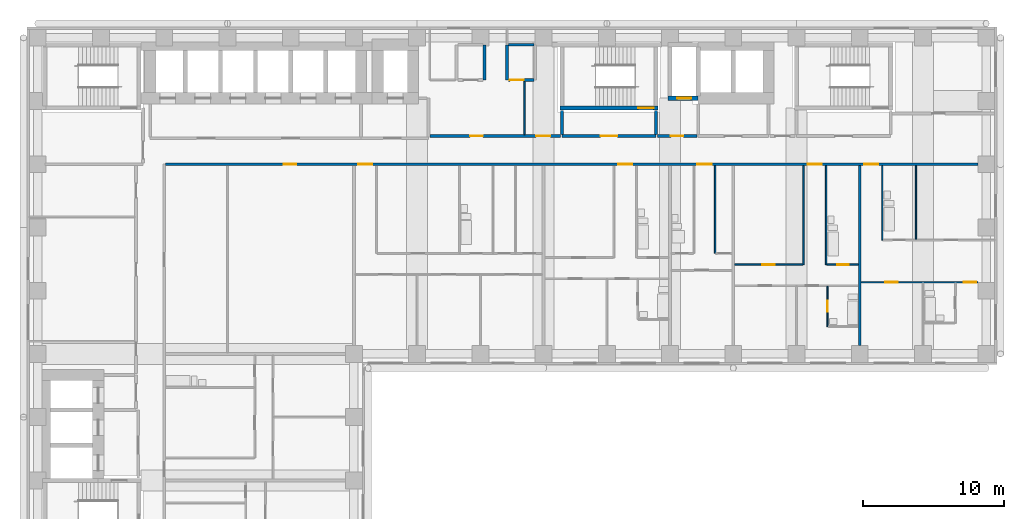
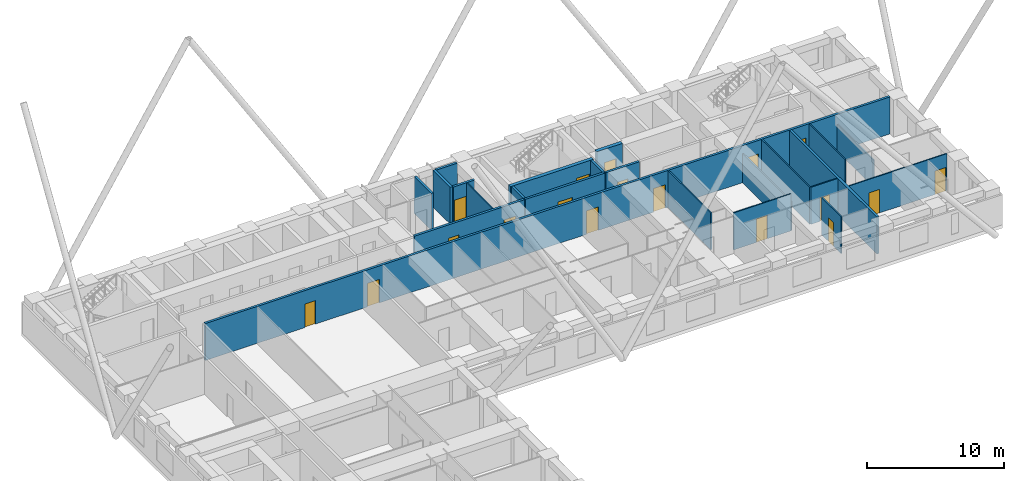
# One storey, part 8 of 13: 23 walls, 18 doors, 18 openings.
"""IFC4 building model written with IfcOpenShell, lengths in metres."""

from ifc_helpers import new_model, si_unit, direction, frame, frame_2d, origin, place, context, subcontext, project, spatial, rectangle, extrude, material, layer, layer_set, type_object, element, fill, save


model = new_model("IFC4")

# Units and contexts
model_context = context("Model", 3, precision=1e-05, world=origin(), true_north=direction((0.0, 1.0)))
body_context = subcontext(model_context, "Body", "Model", "MODEL_VIEW")
ifc_project = project(units=[si_unit("LENGTHUNIT", "METRE"), si_unit("AREAUNIT", "SQUARE_METRE"), si_unit("VOLUMEUNIT", "CUBIC_METRE"), si_unit("PLANEANGLEUNIT", "RADIAN"), si_unit("MASSUNIT", "GRAM", prefix="KILO")], contexts=[model_context])

# Site, building, storey
site_placement = place(None, origin())
site = spatial("IfcSite", under=ifc_project, at=site_placement, CompositionType="ELEMENT")
building_placement = place(site_placement, origin())
building = spatial("IfcBuilding", under=site, at=building_placement, Name="Firuza Court", CompositionType="ELEMENT")
storey_placement = place(building_placement, frame((0.0, 0.0, 72.199951171875)))
storey = spatial("IfcBuildingStorey", under=building, at=storey_placement, Name="L17", CompositionType="ELEMENT", Elevation=72.199951171875)

# Wall, opening, door
ifc_material_1 = material(Name="Moisture-resistant gypsum board partition")
ifc_layer_1 = layer(ifc_material_1, 0.10009765625)
ifc_layer_set_1 = layer_set([ifc_layer_1], Name="Moisture-resistant gypsum board partition")
wall_type_1 = type_object("IfcWallType", Name="Bathroom partition 100", PredefinedType="PLUMBINGWALL", material=ifc_layer_set_1)
wall_1_placement = place(storey_placement, frame((56.199951171875, 37.949951171875, 0.0), z_axis=(0.0, 0.0, 1.0), x_axis=(0.0, 1.0, 0.0)))
wall_1 = element("IfcWall", 1, at=wall_1_placement, inside=storey, type_object=wall_type_1, Name="Bathroom partition 100 L17", PredefinedType="PLUMBINGWALL", context=body_context, shape_type="SweptSolid", body=[
    extrude(rectangle(XDim=2.85009765625, YDim=0.10009765625, at=frame_2d((1.425048828125, 0.0))), origin(), (0.0, 0.0, 1.0), 3.300048828125),
])
opening_1_placement = place(wall_1_placement, frame((1.050048828125, 0.0, 0.0)))
opening_1 = element("IfcOpeningElement", 2, at=opening_1_placement, cuts=wall_1, Name="Opening D17044", PredefinedType="OPENING", context=body_context, shape_type="SweptSolid", body=[
    extrude(rectangle(XDim=0.800048828125, YDim=2.10009765625, at=frame_2d((0.39990234375, 1.050048828125))), frame((0.0, 0.06201171875, 0.0), z_axis=(0.0, -1.0, 0.0), x_axis=(1.0, 0.0, 0.0)), (0.0, 0.0, 1.0), 0.1240234375),
])
ifc_material_2 = material(Name="Timber door leaf in hardwood frame", Category="wood")
door_type_1 = type_object("IfcDoorType", Name="Bathroom door 800", OperationType="SINGLE_SWING_LEFT", PredefinedType="DOOR", material=ifc_material_2)
door_1_placement = place(opening_1_placement, frame((0.800048828125, 0.0, 0.0), z_axis=(0.0, 0.0, 1.0), x_axis=(-1.0, 0.0, 0.0)))
door_1 = element("IfcDoor", 3, at=door_1_placement, inside=storey, type_object=door_type_1, Name="En-suite door", OperationType="SINGLE_SWING_RIGHT", OverallHeight=2.10009765625, OverallWidth=0.800048828125, PredefinedType="DOOR", context=body_context, shape_type="SweptSolid", body=[
    extrude(rectangle(XDim=0.800048828125, YDim=2.10009765625, at=frame_2d((0.39990234375, 1.050048828125))), frame((0.0, 0.02490234375, 0.0), z_axis=(0.0, -1.0, 0.0), x_axis=(1.0, 0.0, 0.0)), (0.0, 0.0, 1.0), 0.050048828125),
])
fill(opening_1, door_1)

# Walls
wall_2_placement = place(storey_placement, frame((56.10009765625, 42.35009765625, 0.0), z_axis=(0.0, 0.0, 1.0), x_axis=(0.0, 1.0, 0.0)))
element("IfcWall", 4, at=wall_2_placement, inside=storey, type_object=wall_type_1, Name="Bathroom partition 100 L17", PredefinedType="PLUMBINGWALL", context=body_context, shape_type="SweptSolid", body=[
    extrude(rectangle(XDim=7.0498046875, YDim=0.10009765625, at=frame_2d((3.52490234375, 0.0))), origin(), (0.0, 0.0, 1.0), 3.300048828125),
])
wall_3_placement = place(storey_placement, frame((60.10009765625, 44.10009765625, 0.0), z_axis=(0.0, 0.0, 1.0), x_axis=(0.0, 1.0, 0.0)))
element("IfcWall", 5, at=wall_3_placement, inside=storey, type_object=wall_type_1, Name="Bathroom partition 100 L17", PredefinedType="PLUMBINGWALL", context=body_context, shape_type="SweptSolid", body=[
    extrude(rectangle(XDim=5.2998046875, YDim=0.10009765625, at=frame_2d((2.64990234375, 0.0))), origin(), (0.0, 0.0, 1.0), 3.300048828125),
])
wall_4_placement = place(storey_placement, frame((62.5, 44.14990234375, 0.0), z_axis=(0.0, 0.0, 1.0), x_axis=(0.0, 1.0, 0.0)))
element("IfcWall", 6, at=wall_4_placement, inside=storey, type_object=wall_type_1, Name="Bathroom partition 100 L17", PredefinedType="PLUMBINGWALL", context=body_context, shape_type="SweptSolid", body=[
    extrude(rectangle(XDim=5.25, YDim=0.10009765625, at=frame_2d((2.625, 0.0))), origin(), (0.0, 0.0, 1.0), 2.400146484375),
])

# Wall, opening, door
ifc_material_3 = material(Name="Concrete C60/75", Category="concrete")
ifc_layer_2 = layer(ifc_material_3, 0.300048828125)
ifc_layer_set_2 = layer_set([ifc_layer_2], Name="Concrete C60/75")
wall_type_2 = type_object("IfcWallType", Name="Core wall 300 C60/75", PredefinedType="SHEAR", material=ifc_layer_set_2)
wall_5_placement = place(storey_placement, frame((37.14990234375, 53.5, -0.300048828125), z_axis=(0.0, 0.0, 1.0), x_axis=(1.0, 0.0, 0.0)))
wall_5 = element("IfcWall", 7, at=wall_5_placement, inside=storey, type_object=wall_type_2, Name="Core wall stair L17", PredefinedType="SHEAR", context=body_context, shape_type="SweptSolid", body=[
    extrude(rectangle(XDim=7.0, YDim=0.300048828125, at=frame_2d((3.5, 0.0))), origin(), (0.0, 0.0, 1.0), 3.60009765625),
])
opening_2_placement = place(wall_5_placement, frame((5.580078125, 0.0, 0.300048828125)))
opening_2 = element("IfcOpeningElement", 8, at=opening_2_placement, cuts=wall_5, Name="Opening D17013", PredefinedType="OPENING", context=body_context, shape_type="SweptSolid", body=[
    extrude(rectangle(XDim=1.10009765625, YDim=2.10009765625, at=frame_2d((0.550048828125, 1.050048828125))), frame((0.0, 0.162109375, 0.0), z_axis=(0.0, -1.0, 0.0), x_axis=(1.0, 0.0, 0.0)), (0.0, 0.0, 1.0), 0.323974609375),
])
ifc_material_4 = material(Name="Timber door leaf in hardwood frame", Category="wood")
door_type_2 = type_object("IfcDoorType", Name="Stair door 1100", OperationType="SINGLE_SWING_LEFT", PredefinedType="DOOR", material=ifc_material_4)
door_2_placement = place(opening_2_placement, origin())
door_2 = element("IfcDoor", 9, at=door_2_placement, inside=storey, type_object=door_type_2, Name="Stair door S1", OperationType="SINGLE_SWING_RIGHT", OverallHeight=2.10009765625, OverallWidth=1.10009765625, PredefinedType="DOOR", context=body_context, shape_type="SweptSolid", body=[
    extrude(rectangle(XDim=1.10009765625, YDim=2.10009765625, at=frame_2d((0.550048828125, 1.050048828125))), frame((0.0, 0.02490234375, 0.0), z_axis=(0.0, -1.0, 0.0), x_axis=(1.0, 0.0, 0.0)), (0.0, 0.0, 1.0), 0.050048828125),
])
fill(opening_2, door_2)

wall_6_placement = place(storey_placement, frame((44.85009765625, 54.199951171875, -0.300048828125), z_axis=(0.0, 0.0, 1.0), x_axis=(1.0, 0.0, 0.0)))
wall_6 = element("IfcWall", 10, at=wall_6_placement, inside=storey, type_object=wall_type_2, Name="Core wall riser L17", PredefinedType="SHEAR", context=body_context, shape_type="SweptSolid", body=[
    extrude(rectangle(XDim=2.14990234375, YDim=0.300048828125, at=frame_2d((1.074951171875, 0.0))), origin(), (0.0, 0.0, 1.0), 3.60009765625),
])
opening_3_placement = place(wall_6_placement, frame((0.64990234375, 0.0, 0.300048828125)))
opening_3 = element("IfcOpeningElement", 11, at=opening_3_placement, cuts=wall_6, Name="Opening D17011", PredefinedType="OPENING", context=body_context, shape_type="SweptSolid", body=[
    extrude(rectangle(XDim=1.0, YDim=2.10009765625, at=frame_2d((0.5, 1.050048828125))), frame((0.0, 0.162109375, 0.0), z_axis=(0.0, -1.0, 0.0), x_axis=(1.0, 0.0, 0.0)), (0.0, 0.0, 1.0), 0.323974609375),
])
ifc_material_5 = material(Name="Timber door leaf in hardwood frame", Category="wood")
door_type_3 = type_object("IfcDoorType", Name="Riser door 1000", OperationType="SINGLE_SWING_LEFT", PredefinedType="DOOR", material=ifc_material_5)
door_3_placement = place(opening_3_placement, origin())
door_3 = element("IfcDoor", 12, at=door_3_placement, inside=storey, type_object=door_type_3, Name="Riser door R3", OperationType="SINGLE_SWING_LEFT", OverallHeight=2.10009765625, OverallWidth=1.0, PredefinedType="DOOR", context=body_context, shape_type="SweptSolid", body=[
    extrude(rectangle(XDim=1.0, YDim=2.10009765625, at=frame_2d((0.5, 1.050048828125))), frame((0.0, 0.02490234375, 0.0), z_axis=(0.0, -1.0, 0.0), x_axis=(1.0, 0.0, 0.0)), (0.0, 0.0, 1.0), 0.050048828125),
])
fill(opening_3, door_3)

# Wall, openings, doors
ifc_material_6 = material(Name="Blockwork, plastered both sides", Category="masonry")
ifc_layer_3 = layer(ifc_material_6, 0.199951171875)
ifc_layer_set_3 = layer_set([ifc_layer_3], Name="Blockwork, plastered both sides")
wall_type_3 = type_object("IfcWallType", Name="Corridor wall 200", PredefinedType="PARTITIONING", material=ifc_layer_set_3)
wall_7_placement = place(storey_placement, frame((9.10009765625, 49.5, 0.0), z_axis=(0.0, 0.0, 1.0), x_axis=(1.0, 0.0, 0.0)))
wall_7 = element("IfcWall", 13, at=wall_7_placement, inside=storey, type_object=wall_type_3, Name="Corridor wall 200 L17", PredefinedType="PARTITIONING", context=body_context, shape_type="SweptSolid", body=[
    extrude(rectangle(XDim=57.7998046875, YDim=0.199951171875, at=frame_2d((28.89990234375, 0.0))), origin(), (0.0, 0.0, 1.0), 3.300048828125),
])
opening_4_placement = place(wall_7_placement, frame((13.699951171875, 0.0, 0.0)))
opening_4 = element("IfcOpeningElement", 14, at=opening_4_placement, cuts=wall_7, Name="Opening D17069", PredefinedType="OPENING", context=body_context, shape_type="SweptSolid", body=[
    extrude(rectangle(XDim=1.0, YDim=2.10009765625, at=frame_2d((0.5, 1.050048828125))), frame((0.0, 0.11181640625, 0.0), z_axis=(0.0, -1.0, 0.0), x_axis=(1.0, 0.0, 0.0)), (0.0, 0.0, 1.0), 0.223876953125),
])
opening_5_placement = place(wall_7_placement, frame((32.199951171875, 0.0, 0.0)))
opening_5 = element("IfcOpeningElement", 15, at=opening_5_placement, cuts=wall_7, Name="Opening D17070", PredefinedType="OPENING", context=body_context, shape_type="SweptSolid", body=[
    extrude(rectangle(XDim=1.0, YDim=2.10009765625, at=frame_2d((0.5, 1.050048828125))), frame((0.0, 0.11181640625, 0.0), z_axis=(0.0, -1.0, 0.0), x_axis=(1.0, 0.0, 0.0)), (0.0, 0.0, 1.0), 0.223876953125),
])
opening_6_placement = place(wall_7_placement, frame((37.85009765625, 0.0, 0.0)))
opening_6 = element("IfcOpeningElement", 16, at=opening_6_placement, cuts=wall_7, Name="Opening D17071", PredefinedType="OPENING", context=body_context, shape_type="SweptSolid", body=[
    extrude(rectangle(XDim=1.0, YDim=2.10009765625, at=frame_2d((0.5, 1.050048828125))), frame((0.0, 0.11181640625, 0.0), z_axis=(0.0, -1.0, 0.0), x_axis=(1.0, 0.0, 0.0)), (0.0, 0.0, 1.0), 0.223876953125),
])
opening_7_placement = place(wall_7_placement, frame((45.699951171875, 0.0, 0.0)))
opening_7 = element("IfcOpeningElement", 17, at=opening_7_placement, cuts=wall_7, Name="Opening D17072", PredefinedType="OPENING", context=body_context, shape_type="SweptSolid", body=[
    extrude(rectangle(XDim=1.0, YDim=2.10009765625, at=frame_2d((0.5, 1.050048828125))), frame((0.0, 0.11181640625, 0.0), z_axis=(0.0, -1.0, 0.0), x_axis=(1.0, 0.0, 0.0)), (0.0, 0.0, 1.0), 0.223876953125),
])
opening_8_placement = place(wall_7_placement, frame((49.699951171875, 0.0, 0.0)))
opening_8 = element("IfcOpeningElement", 18, at=opening_8_placement, cuts=wall_7, Name="Opening D17073", PredefinedType="OPENING", context=body_context, shape_type="SweptSolid", body=[
    extrude(rectangle(XDim=1.0, YDim=2.10009765625, at=frame_2d((0.5, 1.050048828125))), frame((0.0, 0.11181640625, 0.0), z_axis=(0.0, -1.0, 0.0), x_axis=(1.0, 0.0, 0.0)), (0.0, 0.0, 1.0), 0.223876953125),
])
opening_9_placement = place(wall_7_placement, frame((8.39990234375, 0.0, 0.0)))
opening_9 = element("IfcOpeningElement", 19, at=opening_9_placement, cuts=wall_7, Name="Opening D17074", PredefinedType="OPENING", context=body_context, shape_type="SweptSolid", body=[
    extrude(rectangle(XDim=0.89990234375, YDim=2.10009765625, at=frame_2d((0.449951171875, 1.050048828125))), frame((0.0, 0.11181640625, 0.0), z_axis=(0.0, -1.0, 0.0), x_axis=(1.0, 0.0, 0.0)), (0.0, 0.0, 1.0), 0.223876953125),
])
ifc_material_7 = material(Name="Timber door leaf in hardwood frame", Category="wood")
door_type_4 = type_object("IfcDoorType", Name="Flat entrance door 1000", OperationType="SINGLE_SWING_LEFT", PredefinedType="DOOR", material=ifc_material_7)
door_4_placement = place(opening_4_placement, origin())
door_4 = element("IfcDoor", 20, at=door_4_placement, inside=storey, type_object=door_type_4, Name="Flat entrance door", OperationType="SINGLE_SWING_LEFT", OverallHeight=2.10009765625, OverallWidth=1.0, PredefinedType="DOOR", context=body_context, shape_type="SweptSolid", body=[
    extrude(rectangle(XDim=1.0, YDim=2.10009765625, at=frame_2d((0.5, 1.050048828125))), frame((0.0, 0.02490234375, 0.0), z_axis=(0.0, -1.0, 0.0), x_axis=(1.0, 0.0, 0.0)), (0.0, 0.0, 1.0), 0.050048828125),
])
fill(opening_4, door_4)
door_5_placement = place(opening_5_placement, origin())
door_5 = element("IfcDoor", 21, at=door_5_placement, inside=storey, type_object=door_type_4, Name="Flat entrance door", OperationType="SINGLE_SWING_LEFT", OverallHeight=2.10009765625, OverallWidth=1.0, PredefinedType="DOOR", context=body_context, shape_type="SweptSolid", body=[
    extrude(rectangle(XDim=1.0, YDim=2.10009765625, at=frame_2d((0.5, 1.050048828125))), frame((0.0, 0.02490234375, 0.0), z_axis=(0.0, -1.0, 0.0), x_axis=(1.0, 0.0, 0.0)), (0.0, 0.0, 1.0), 0.050048828125),
])
fill(opening_5, door_5)
door_6_placement = place(opening_6_placement, origin())
door_6 = element("IfcDoor", 22, at=door_6_placement, inside=storey, type_object=door_type_4, Name="Flat entrance door", OperationType="SINGLE_SWING_LEFT", OverallHeight=2.10009765625, OverallWidth=1.0, PredefinedType="DOOR", context=body_context, shape_type="SweptSolid", body=[
    extrude(rectangle(XDim=1.0, YDim=2.10009765625, at=frame_2d((0.5, 1.050048828125))), frame((0.0, 0.02490234375, 0.0), z_axis=(0.0, -1.0, 0.0), x_axis=(1.0, 0.0, 0.0)), (0.0, 0.0, 1.0), 0.050048828125),
])
fill(opening_6, door_6)
door_7_placement = place(opening_7_placement, origin())
door_7 = element("IfcDoor", 23, at=door_7_placement, inside=storey, type_object=door_type_4, Name="Flat entrance door", OperationType="SINGLE_SWING_LEFT", OverallHeight=2.10009765625, OverallWidth=1.0, PredefinedType="DOOR", context=body_context, shape_type="SweptSolid", body=[
    extrude(rectangle(XDim=1.0, YDim=2.10009765625, at=frame_2d((0.5, 1.050048828125))), frame((0.0, 0.02490234375, 0.0), z_axis=(0.0, -1.0, 0.0), x_axis=(1.0, 0.0, 0.0)), (0.0, 0.0, 1.0), 0.050048828125),
])
fill(opening_7, door_7)
door_8_placement = place(opening_8_placement, origin())
door_8 = element("IfcDoor", 24, at=door_8_placement, inside=storey, type_object=door_type_4, Name="Flat entrance door", OperationType="SINGLE_SWING_LEFT", OverallHeight=2.10009765625, OverallWidth=1.0, PredefinedType="DOOR", context=body_context, shape_type="SweptSolid", body=[
    extrude(rectangle(XDim=1.0, YDim=2.10009765625, at=frame_2d((0.5, 1.050048828125))), frame((0.0, 0.02490234375, 0.0), z_axis=(0.0, -1.0, 0.0), x_axis=(1.0, 0.0, 0.0)), (0.0, 0.0, 1.0), 0.050048828125),
])
fill(opening_8, door_8)
ifc_material_8 = material(Name="Timber door leaf in hardwood frame", Category="wood")
door_type_5 = type_object("IfcDoorType", Name="Room door 900 EI 30", OperationType="SINGLE_SWING_LEFT", PredefinedType="DOOR", material=ifc_material_8)
door_9_placement = place(opening_9_placement, origin())
door_9 = element("IfcDoor", 25, at=door_9_placement, inside=storey, type_object=door_type_5, Name="Residents' lounge door", OperationType="SINGLE_SWING_LEFT", OverallHeight=2.10009765625, OverallWidth=0.89990234375, PredefinedType="DOOR", context=body_context, shape_type="SweptSolid", body=[
    extrude(rectangle(XDim=0.89990234375, YDim=2.10009765625, at=frame_2d((0.449951171875, 1.050048828125))), frame((0.0, 0.02490234375, 0.0), z_axis=(0.0, -1.0, 0.0), x_axis=(1.0, 0.0, 0.0)), (0.0, 0.0, 1.0), 0.050048828125),
])
fill(opening_9, door_9)

wall_8_placement = place(storey_placement, frame((27.89990234375, 51.5, 0.0), z_axis=(0.0, 0.0, 1.0), x_axis=(1.0, 0.0, 0.0)))
wall_8 = element("IfcWall", 26, at=wall_8_placement, inside=storey, type_object=wall_type_3, Name="Corridor wall 200 L17", PredefinedType="PARTITIONING", context=body_context, shape_type="SweptSolid", body=[
    extrude(rectangle(XDim=9.300048828125, YDim=0.199951171875, at=frame_2d((4.64990234375, 0.0))), origin(), (0.0, 0.0, 1.0), 3.300048828125),
])
opening_10_placement = place(wall_8_placement, frame((2.875, 0.0, 0.0)))
opening_10 = element("IfcOpeningElement", 27, at=opening_10_placement, cuts=wall_8, Name="Opening D17075", PredefinedType="OPENING", context=body_context, shape_type="SweptSolid", body=[
    extrude(rectangle(XDim=0.89990234375, YDim=2.10009765625, at=frame_2d((0.449951171875, 1.050048828125))), frame((0.0, 0.11181640625, 0.0), z_axis=(0.0, -1.0, 0.0), x_axis=(1.0, 0.0, 0.0)), (0.0, 0.0, 1.0), 0.223876953125),
])
opening_11_placement = place(wall_8_placement, frame((7.574951171875, 0.0, 0.0)))
opening_11 = element("IfcOpeningElement", 28, at=opening_11_placement, cuts=wall_8, Name="Opening D17076", PredefinedType="OPENING", context=body_context, shape_type="SweptSolid", body=[
    extrude(rectangle(XDim=1.0, YDim=2.10009765625, at=frame_2d((0.5, 1.050048828125))), frame((0.0, 0.11181640625, 0.0), z_axis=(0.0, -1.0, 0.0), x_axis=(1.0, 0.0, 0.0)), (0.0, 0.0, 1.0), 0.223876953125),
])
door_10_placement = place(opening_10_placement, origin())
door_10 = element("IfcDoor", 29, at=door_10_placement, inside=storey, type_object=door_type_5, Name="Meeting room door", OperationType="SINGLE_SWING_LEFT", OverallHeight=2.10009765625, OverallWidth=0.89990234375, PredefinedType="DOOR", context=body_context, shape_type="SweptSolid", body=[
    extrude(rectangle(XDim=0.89990234375, YDim=2.10009765625, at=frame_2d((0.449951171875, 1.050048828125))), frame((0.0, 0.02490234375, 0.0), z_axis=(0.0, -1.0, 0.0), x_axis=(1.0, 0.0, 0.0)), (0.0, 0.0, 1.0), 0.050048828125),
])
fill(opening_10, door_10)
ifc_material_9 = material(Name="Timber door leaf in hardwood frame", Category="wood")
door_type_6 = type_object("IfcDoorType", Name="Store door 1000", OperationType="SINGLE_SWING_LEFT", PredefinedType="DOOR", material=ifc_material_9)
door_11_placement = place(opening_11_placement, origin())
door_11 = element("IfcDoor", 30, at=door_11_placement, inside=storey, type_object=door_type_6, Name="Cleaner's store door", OperationType="SINGLE_SWING_LEFT", OverallHeight=2.10009765625, OverallWidth=1.0, PredefinedType="DOOR", context=body_context, shape_type="SweptSolid", body=[
    extrude(rectangle(XDim=1.0, YDim=2.10009765625, at=frame_2d((0.5, 1.050048828125))), frame((0.0, 0.02490234375, 0.0), z_axis=(0.0, -1.0, 0.0), x_axis=(1.0, 0.0, 0.0)), (0.0, 0.0, 1.0), 0.050048828125),
])
fill(opening_11, door_11)

# Wall, opening, door
wall_9_placement = place(storey_placement, frame((44.10009765625, 51.5, 0.0), z_axis=(0.0, 0.0, 1.0), x_axis=(1.0, 0.0, 0.0)))
wall_9 = element("IfcWall", 31, at=wall_9_placement, inside=storey, type_object=wall_type_3, Name="Corridor wall 200 L17", PredefinedType="PARTITIONING", context=body_context, shape_type="SweptSolid", body=[
    extrude(rectangle(XDim=2.7998046875, YDim=0.199951171875, at=frame_2d((1.39990234375, 0.0))), origin(), (0.0, 0.0, 1.0), 3.300048828125),
])
opening_12_placement = place(wall_9_placement, frame((0.949951171875, 0.0, 0.0)))
opening_12 = element("IfcOpeningElement", 32, at=opening_12_placement, cuts=wall_9, Name="Opening D17077", PredefinedType="OPENING", context=body_context, shape_type="SweptSolid", body=[
    extrude(rectangle(XDim=0.89990234375, YDim=2.10009765625, at=frame_2d((0.449951171875, 1.050048828125))), frame((0.0, 0.11181640625, 0.0), z_axis=(0.0, -1.0, 0.0), x_axis=(1.0, 0.0, 0.0)), (0.0, 0.0, 1.0), 0.223876953125),
])
door_12_placement = place(opening_12_placement, origin())
door_12 = element("IfcDoor", 33, at=door_12_placement, inside=storey, type_object=door_type_5, Name="Concierge room door", OperationType="SINGLE_SWING_LEFT", OverallHeight=2.10009765625, OverallWidth=0.89990234375, PredefinedType="DOOR", context=body_context, shape_type="SweptSolid", body=[
    extrude(rectangle(XDim=0.89990234375, YDim=2.10009765625, at=frame_2d((0.449951171875, 1.050048828125))), frame((0.0, 0.02490234375, 0.0), z_axis=(0.0, -1.0, 0.0), x_axis=(1.0, 0.0, 0.0)), (0.0, 0.0, 1.0), 0.050048828125),
])
fill(opening_12, door_12)

# Wall, openings, doors
ifc_material_10 = material(Name="Timber stud partition, plasterboard both sides", Category="wood")
ifc_layer_4 = layer(ifc_material_10, 0.10009765625)
ifc_layer_set_4 = layer_set([ifc_layer_4], Name="Timber stud partition, plasterboard both sides")
wall_type_4 = type_object("IfcWallType", Name="Partition wall 100", PredefinedType="PARTITIONING", material=ifc_layer_set_4)
wall_10_placement = place(storey_placement, frame((58.60009765625, 41.10009765625, 0.0), z_axis=(0.0, 0.0, 1.0), x_axis=(1.0, 0.0, 0.0)))
wall_10 = element("IfcWall", 34, at=wall_10_placement, inside=storey, type_object=wall_type_4, Name="Partition wall 100 L17", PredefinedType="PARTITIONING", context=body_context, shape_type="SweptSolid", body=[
    extrude(rectangle(XDim=8.2998046875, YDim=0.10009765625, at=frame_2d((4.14990234375, 0.0))), origin(), (0.0, 0.0, 1.0), 3.300048828125),
])
opening_13_placement = place(wall_10_placement, frame((1.699951171875, 0.0, 0.0)))
opening_13 = element("IfcOpeningElement", 35, at=opening_13_placement, cuts=wall_10, Name="Opening D17049", PredefinedType="OPENING", context=body_context, shape_type="SweptSolid", body=[
    extrude(rectangle(XDim=0.89990234375, YDim=2.10009765625, at=frame_2d((0.449951171875, 1.050048828125))), frame((0.0, 0.06201171875, 0.0), z_axis=(0.0, -1.0, 0.0), x_axis=(1.0, 0.0, 0.0)), (0.0, 0.0, 1.0), 0.1240234375),
])
opening_14_placement = place(wall_10_placement, frame((7.300048828125, 0.0, 0.0)))
opening_14 = element("IfcOpeningElement", 36, at=opening_14_placement, cuts=wall_10, Name="Opening D17050", PredefinedType="OPENING", context=body_context, shape_type="SweptSolid", body=[
    extrude(rectangle(XDim=0.89990234375, YDim=2.10009765625, at=frame_2d((0.449951171875, 1.050048828125))), frame((0.0, 0.06201171875, 0.0), z_axis=(0.0, -1.0, 0.0), x_axis=(1.0, 0.0, 0.0)), (0.0, 0.0, 1.0), 0.1240234375),
])
ifc_material_11 = material(Name="Timber door leaf in hardwood frame", Category="wood")
door_type_7 = type_object("IfcDoorType", Name="Room door 900", OperationType="SINGLE_SWING_LEFT", PredefinedType="DOOR", material=ifc_material_11)
door_13_placement = place(opening_13_placement, frame((0.89990234375, 0.0, 0.0), z_axis=(0.0, 0.0, 1.0), x_axis=(-1.0, 0.0, 0.0)))
door_13 = element("IfcDoor", 37, at=door_13_placement, inside=storey, type_object=door_type_7, Name="Living room door", OperationType="SINGLE_SWING_RIGHT", OverallHeight=2.10009765625, OverallWidth=0.89990234375, PredefinedType="DOOR", context=body_context, shape_type="SweptSolid", body=[
    extrude(rectangle(XDim=0.89990234375, YDim=2.10009765625, at=frame_2d((0.449951171875, 1.050048828125))), frame((0.0, 0.02490234375, 0.0), z_axis=(0.0, -1.0, 0.0), x_axis=(1.0, 0.0, 0.0)), (0.0, 0.0, 1.0), 0.050048828125),
])
fill(opening_13, door_13)
door_14_placement = place(opening_14_placement, frame((0.89990234375, 0.0, 0.0), z_axis=(0.0, 0.0, 1.0), x_axis=(-1.0, 0.0, 0.0)))
door_14 = element("IfcDoor", 38, at=door_14_placement, inside=storey, type_object=door_type_7, Name="Bedroom door", OperationType="SINGLE_SWING_LEFT", OverallHeight=2.10009765625, OverallWidth=0.89990234375, PredefinedType="DOOR", context=body_context, shape_type="SweptSolid", body=[
    extrude(rectangle(XDim=0.89990234375, YDim=2.10009765625, at=frame_2d((0.449951171875, 1.050048828125))), frame((0.0, 0.02490234375, 0.0), z_axis=(0.0, -1.0, 0.0), x_axis=(1.0, 0.0, 0.0)), (0.0, 0.0, 1.0), 0.050048828125),
])
fill(opening_14, door_14)

# Wall, opening, door
wall_11_placement = place(storey_placement, frame((49.60009765625, 42.35009765625, 0.0), z_axis=(0.0, 0.0, 1.0), x_axis=(1.0, 0.0, 0.0)))
wall_11 = element("IfcWall", 39, at=wall_11_placement, inside=storey, type_object=wall_type_4, Name="Partition wall 100 L17", PredefinedType="PARTITIONING", context=body_context, shape_type="SweptSolid", body=[
    extrude(rectangle(XDim=4.849853515625, YDim=0.10009765625, at=frame_2d((2.4248046875, 0.0))), origin(), (0.0, 0.0, 1.0), 3.300048828125),
])
opening_15_placement = place(wall_11_placement, frame((1.949951171875, 0.0, 0.0)))
opening_15 = element("IfcOpeningElement", 40, at=opening_15_placement, cuts=wall_11, Name="Opening D17057", PredefinedType="OPENING", context=body_context, shape_type="SweptSolid", body=[
    extrude(rectangle(XDim=0.89990234375, YDim=2.10009765625, at=frame_2d((0.449951171875, 1.050048828125))), frame((0.0, 0.06201171875, 0.0), z_axis=(0.0, -1.0, 0.0), x_axis=(1.0, 0.0, 0.0)), (0.0, 0.0, 1.0), 0.1240234375),
])
door_15_placement = place(opening_15_placement, origin())
door_15 = element("IfcDoor", 41, at=door_15_placement, inside=storey, type_object=door_type_7, Name="Kitchen door", OperationType="SINGLE_SWING_LEFT", OverallHeight=2.10009765625, OverallWidth=0.89990234375, PredefinedType="DOOR", context=body_context, shape_type="SweptSolid", body=[
    extrude(rectangle(XDim=0.89990234375, YDim=2.10009765625, at=frame_2d((0.449951171875, 1.050048828125))), frame((0.0, 0.02490234375, 0.0), z_axis=(0.0, -1.0, 0.0), x_axis=(1.0, 0.0, 0.0)), (0.0, 0.0, 1.0), 0.050048828125),
])
fill(opening_15, door_15)

# Wall
wall_12_placement = place(storey_placement, frame((54.5, 42.35009765625, 0.0), z_axis=(0.0, 0.0, 1.0), x_axis=(0.0, 1.0, 0.0)))
element("IfcWall", 42, at=wall_12_placement, inside=storey, type_object=wall_type_4, Name="Partition wall 100 L17", PredefinedType="PARTITIONING", context=body_context, shape_type="SweptSolid", body=[
    extrude(rectangle(XDim=7.0498046875, YDim=0.10009765625, at=frame_2d((3.52490234375, 0.0))), origin(), (0.0, 0.0, 1.0), 2.60009765625),
])

# Wall, opening, door
wall_13_placement = place(storey_placement, frame((56.14990234375, 42.35009765625, 0.0), z_axis=(0.0, 0.0, 1.0), x_axis=(1.0, 0.0, 0.0)))
wall_13 = element("IfcWall", 43, at=wall_13_placement, inside=storey, type_object=wall_type_4, Name="Partition wall 100 L17", PredefinedType="PARTITIONING", context=body_context, shape_type="SweptSolid", body=[
    extrude(rectangle(XDim=2.25, YDim=0.10009765625, at=frame_2d((1.125, 0.0))), origin(), (0.0, 0.0, 1.0), 3.300048828125),
])
opening_16_placement = place(wall_13_placement, frame((0.75, 0.0, 0.0)))
opening_16 = element("IfcOpeningElement", 44, at=opening_16_placement, cuts=wall_13, Name="Opening D17058", PredefinedType="OPENING", context=body_context, shape_type="SweptSolid", body=[
    extrude(rectangle(XDim=0.800048828125, YDim=2.10009765625, at=frame_2d((0.39990234375, 1.050048828125))), frame((0.0, 0.06201171875, 0.0), z_axis=(0.0, -1.0, 0.0), x_axis=(1.0, 0.0, 0.0)), (0.0, 0.0, 1.0), 0.1240234375),
])
door_16_placement = place(opening_16_placement, origin())
door_16 = element("IfcDoor", 45, at=door_16_placement, inside=storey, type_object=door_type_1, Name="Bathroom door", OperationType="SINGLE_SWING_LEFT", OverallHeight=2.10009765625, OverallWidth=0.800048828125, PredefinedType="DOOR", context=body_context, shape_type="SweptSolid", body=[
    extrude(rectangle(XDim=0.800048828125, YDim=2.10009765625, at=frame_2d((0.39990234375, 1.050048828125))), frame((0.0, 0.02490234375, 0.0), z_axis=(0.0, -1.0, 0.0), x_axis=(1.0, 0.0, 0.0)), (0.0, 0.0, 1.0), 0.050048828125),
])
fill(opening_16, door_16)

# Walls
wall_14_placement = place(storey_placement, frame((48.199951171875, 43.14990234375, 0.0), z_axis=(0.0, 0.0, 1.0), x_axis=(0.0, 1.0, 0.0)))
element("IfcWall", 46, at=wall_14_placement, inside=storey, type_object=wall_type_4, Name="Partition wall 100 L17", PredefinedType="PARTITIONING", context=body_context, shape_type="SweptSolid", body=[
    extrude(rectangle(XDim=6.25, YDim=0.10009765625, at=frame_2d((3.125, 0.0))), origin(), (0.0, 0.0, 1.0), 3.300048828125),
])
wall_15_placement = place(storey_placement, frame((34.64990234375, 51.60009765625, 0.0), z_axis=(0.0, 0.0, 1.0), x_axis=(0.0, 1.0, 0.0)))
element("IfcWall", 47, at=wall_15_placement, inside=storey, type_object=wall_type_4, Name="Partition wall 100 L17", PredefinedType="PARTITIONING", context=body_context, shape_type="SweptSolid", body=[
    extrude(rectangle(XDim=3.7998046875, YDim=0.10009765625, at=frame_2d((1.89990234375, 0.0))), origin(), (0.0, 0.0, 1.0), 3.300048828125),
])
ifc_layer_5 = layer(ifc_material_6, 0.199951171875)
ifc_layer_set_5 = layer_set([ifc_layer_5], Name="Blockwork, plastered both sides")
wall_type_5 = type_object("IfcWallType", Name="Party wall 200", PredefinedType="PARTITIONING", material=ifc_layer_set_5)
wall_16_placement = place(storey_placement, frame((58.5, 36.60009765625, 0.0), z_axis=(0.0, 0.0, 1.0), x_axis=(0.0, 1.0, 0.0)))
element("IfcWall", 48, at=wall_16_placement, inside=storey, type_object=wall_type_5, Name="Party wall 200 L17", PredefinedType="PARTITIONING", context=body_context, shape_type="SweptSolid", body=[
    extrude(rectangle(XDim=12.7998046875, YDim=0.199951171875, at=frame_2d((6.39990234375, 0.0))), origin(), (0.0, 0.0, 1.0), 3.300048828125),
])
ifc_material_12 = material(Name="Blockwork, fire-rated", Category="masonry")
ifc_layer_6 = layer(ifc_material_12, 0.199951171875)
ifc_layer_set_6 = layer_set([ifc_layer_6], Name="Blockwork, fire-rated")
wall_type_6 = type_object("IfcWallType", Name="Plant room wall 200", PredefinedType="PARTITIONING", material=ifc_layer_set_6)
for number, where, z_axis, x_axis, name in (
    (49, (31.800048828125, 55.5, 0.0), (0.0, 0.0, 1.0), (0.0, 1.0, 0.0), "Plant room wall 200 L17"),
    (50, (33.39990234375, 55.5, 0.0), (0.0, 0.0, 1.0), (0.0, 1.0, 0.0), "Plant room wall 200 L17"),
):
    element("IfcWall", number, at=place(storey_placement, frame(where, z_axis=z_axis, x_axis=x_axis)), inside=storey, type_object=wall_type_6, Name=name, PredefinedType="PARTITIONING", context=body_context, shape_type="SweptSolid", body=[
        extrude(rectangle(XDim=2.5, YDim=0.199951171875, at=frame_2d((1.25, 0.0))), origin(), (0.0, 0.0, 1.0), 3.300048828125),
    ])

# Wall, opening, door
wall_17_placement = place(storey_placement, frame((33.5, 55.5, 0.0), z_axis=(0.0, 0.0, 1.0), x_axis=(1.0, 0.0, 0.0)))
wall_17 = element("IfcWall", 51, at=wall_17_placement, inside=storey, type_object=wall_type_6, Name="Plant room wall 200 L17", PredefinedType="PARTITIONING", context=body_context, shape_type="SweptSolid", body=[
    extrude(rectangle(XDim=1.800048828125, YDim=0.199951171875, at=frame_2d((0.89990234375, 0.0))), origin(), (0.0, 0.0, 1.0), 3.300048828125),
])
opening_17_placement = place(wall_17_placement, frame((0.10009765625, 0.0, 0.0)))
opening_17 = element("IfcOpeningElement", 52, at=opening_17_placement, cuts=wall_17, Name="Opening D17081", PredefinedType="OPENING", context=body_context, shape_type="SweptSolid", body=[
    extrude(rectangle(XDim=1.0, YDim=2.10009765625, at=frame_2d((0.5, 1.050048828125))), frame((0.0, 0.11181640625, 0.0), z_axis=(0.0, -1.0, 0.0), x_axis=(1.0, 0.0, 0.0)), (0.0, 0.0, 1.0), 0.223876953125),
])
door_17_placement = place(opening_17_placement, origin())
door_17 = element("IfcDoor", 53, at=door_17_placement, inside=storey, type_object=door_type_3, Name="Duct riser door", OperationType="SINGLE_SWING_LEFT", OverallHeight=2.10009765625, OverallWidth=1.0, PredefinedType="DOOR", context=body_context, shape_type="SweptSolid", body=[
    extrude(rectangle(XDim=1.0, YDim=2.10009765625, at=frame_2d((0.5, 1.050048828125))), frame((0.0, 0.02490234375, 0.0), z_axis=(0.0, -1.0, 0.0), x_axis=(1.0, 0.0, 0.0)), (0.0, 0.0, 1.0), 0.050048828125),
])
fill(opening_17, door_17)

# Wall
wall_18_placement = place(storey_placement, frame((33.5, 58.0, 0.0), z_axis=(0.0, 0.0, 1.0), x_axis=(1.0, 0.0, 0.0)))
element("IfcWall", 54, at=wall_18_placement, inside=storey, type_object=wall_type_6, Name="Plant room wall 200 L17", PredefinedType="PARTITIONING", context=body_context, shape_type="SweptSolid", body=[
    extrude(rectangle(XDim=1.800048828125, YDim=0.199951171875, at=frame_2d((0.89990234375, 0.0))), origin(), (0.0, 0.0, 1.0), 3.300048828125),
])

# Wall, opening, door
ifc_layer_7 = layer(ifc_material_12, 0.199951171875)
ifc_layer_set_7 = layer_set([ifc_layer_7], Name="Blockwork, fire-rated")
wall_type_7 = type_object("IfcWallType", Name="Shaft wall 200", PredefinedType="PARTITIONING", material=ifc_layer_set_7)
wall_19_placement = place(storey_placement, frame((37.300048828125, 51.5, 0.0), z_axis=(0.0, 0.0, 1.0), x_axis=(1.0, 0.0, 0.0)))
wall_19 = element("IfcWall", 55, at=wall_19_placement, inside=storey, type_object=wall_type_7, Name="Shaft wall 200 L17", PredefinedType="PARTITIONING", context=body_context, shape_type="SweptSolid", body=[
    extrude(rectangle(XDim=6.699951171875, YDim=0.199951171875, at=frame_2d((3.35009765625, 0.0))), origin(), (0.0, 0.0, 1.0), 3.300048828125),
])
opening_18_placement = place(wall_19_placement, frame((2.75, 0.0, 0.0)))
opening_18 = element("IfcOpeningElement", 56, at=opening_18_placement, cuts=wall_19, Name="Opening D17006", PredefinedType="OPENING", context=body_context, shape_type="SweptSolid", body=[
    extrude(rectangle(XDim=1.199951171875, YDim=2.10009765625, at=frame_2d((0.60009765625, 1.050048828125))), frame((0.0, 0.11181640625, 0.0), z_axis=(0.0, -1.0, 0.0), x_axis=(1.0, 0.0, 0.0)), (0.0, 0.0, 1.0), 0.223876953125),
])
ifc_material_13 = material(Name="Timber door leaf in hardwood frame", Category="wood")
door_type_8 = type_object("IfcDoorType", Name="Lobby door 1200", OperationType="SINGLE_SWING_LEFT", PredefinedType="DOOR", material=ifc_material_13)
door_18_placement = place(opening_18_placement, origin())
door_18 = element("IfcDoor", 57, at=door_18_placement, inside=storey, type_object=door_type_8, Name="Lobby door", OperationType="SINGLE_SWING_LEFT", OverallHeight=2.10009765625, OverallWidth=1.199951171875, PredefinedType="DOOR", context=body_context, shape_type="SweptSolid", body=[
    extrude(rectangle(XDim=1.199951171875, YDim=2.10009765625, at=frame_2d((0.60009765625, 1.050048828125))), frame((0.0, 0.02490234375, 0.0), z_axis=(0.0, -1.0, 0.0), x_axis=(1.0, 0.0, 0.0)), (0.0, 0.0, 1.0), 0.050048828125),
])
fill(opening_18, door_18)

# Walls
for number, where, z_axis, x_axis, name in (
    (58, (44.0, 51.60009765625, 0.0), (0.0, 0.0, 1.0), (0.0, 1.0, 0.0), "Shaft wall 200 L17"),
    (59, (37.300048828125, 51.60009765625, 0.0), (0.0, 0.0, 1.0), (0.0, 1.0, 0.0), "Shaft wall 200 L17"),
):
    element("IfcWall", number, at=place(storey_placement, frame(where, z_axis=z_axis, x_axis=x_axis)), inside=storey, type_object=wall_type_7, Name=name, PredefinedType="PARTITIONING", context=body_context, shape_type="SweptSolid", body=[
        extrude(rectangle(XDim=1.72998046875, YDim=0.199951171875, at=frame_2d((0.864990234375, 0.0))), origin(), (0.0, 0.0, 1.0), 3.300048828125),
    ])

save(model, "model.ifc")
